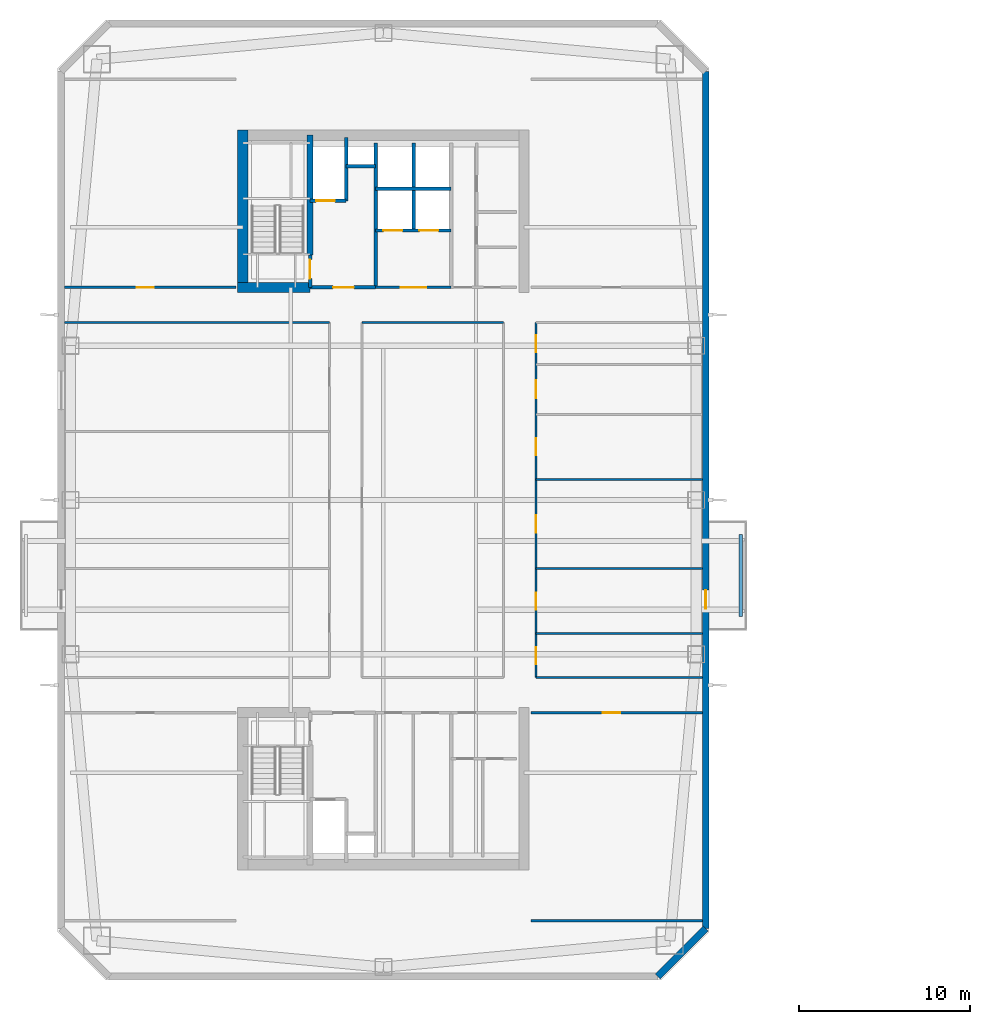
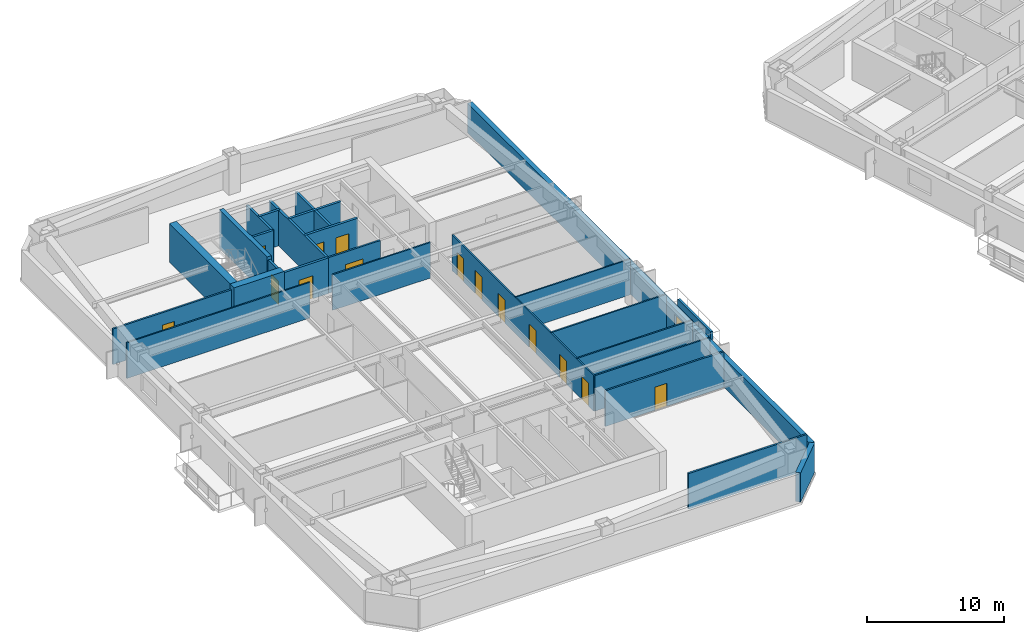
# One storey, part 6 of 17: 26 walls, 15 doors, 15 openings.
"""IFC4 building model written with IfcOpenShell, lengths in metres."""

from ifc_helpers import new_model, si_unit, direction, frame, frame_2d, origin, place, context, subcontext, project, spatial, rectangle, extrude, material, layer, layer_set, type_object, element, fill, save


model = new_model("IFC4")

# Units and contexts
model_context = context("Model", 3, precision=1e-05, world=origin(), true_north=direction((0.0, 1.0)))
body_context = subcontext(model_context, "Body", "Model", "MODEL_VIEW")
ifc_project = project(units=[si_unit("LENGTHUNIT", "METRE"), si_unit("AREAUNIT", "SQUARE_METRE"), si_unit("VOLUMEUNIT", "CUBIC_METRE"), si_unit("PLANEANGLEUNIT", "RADIAN"), si_unit("MASSUNIT", "GRAM", prefix="KILO")], contexts=[model_context])

# Site, building, storey
site_placement = place(None, origin())
site = spatial("IfcSite", under=ifc_project, at=site_placement, CompositionType="ELEMENT")
building_placement = place(site_placement, origin())
building = spatial("IfcBuilding", under=site, at=building_placement, Name="Qiaolan Cultural Towers", CompositionType="ELEMENT")
storey_placement = place(building_placement, frame((0.0, 0.0, 152.949951171875)))
storey = spatial("IfcBuildingStorey", under=building, at=storey_placement, Name="L40", CompositionType="ELEMENT", Elevation=152.949951171875)

# Walls
ifc_material_1 = material(Name="Concrete C50", Category="concrete")
ifc_layer_1 = layer(ifc_material_1, 0.35009765625)
ifc_layer_set_1 = layer_set([ifc_layer_1], Name="Concrete C50")
wall_type_1 = type_object("IfcWallType", Name="WL-CORE-350", PredefinedType="SHEAR", material=ifc_layer_set_1)
wall_1_placement = place(storey_placement, frame((25.719970703125, 48.300048828125, 0.0), z_axis=(0.0, 0.0, 1.0), x_axis=(0.0, 1.0, 0.0)))
element("IfcWall", 1, at=wall_1_placement, inside=storey, type_object=wall_type_1, Name="L40 T1-CN Stair Core Dividing Web", PredefinedType="SHEAR", context=body_context, shape_type="SweptSolid", body=[
    extrude(rectangle(XDim=6.97998046875, YDim=0.35009765625, at=frame_2d((3.489990234375, 0.0))), origin(), (0.0, 0.0, 1.0), 3.449951171875),
])
ifc_material_2 = material(Name="Concrete C55", Category="concrete")
ifc_layer_2 = layer(ifc_material_2, 0.60009765625)
ifc_layer_set_2 = layer_set([ifc_layer_2], Name="Concrete C55")
wall_type_2 = type_object("IfcWallType", Name="WL-CORE-600", PredefinedType="SHEAR", material=ifc_layer_set_2)
wall_2_placement = place(storey_placement, frame((21.800048828125, 46.10009765625, 0.0), z_axis=(0.0, 0.0, 1.0), x_axis=(0.0, 1.0, 0.0)))
element("IfcWall", 2, at=wall_2_placement, inside=storey, type_object=wall_type_2, Name="L40 T1-CN West Core Shear Wall", PredefinedType="SHEAR", context=body_context, shape_type="SweptSolid", body=[
    extrude(rectangle(XDim=9.47998046875, YDim=0.60009765625, at=frame_2d((4.739990234375, 0.0))), origin(), (0.0, 0.0, 1.0), 3.449951171875),
])
wall_3_placement = place(storey_placement, frame((21.5, 46.39990234375, 0.0), z_axis=(0.0, 0.0, 1.0), x_axis=(1.0, 0.0, 0.0)))
element("IfcWall", 3, at=wall_3_placement, inside=storey, type_object=wall_type_2, Name="L40 T1-CN Stair Front Shear Wall", PredefinedType="SHEAR", context=body_context, shape_type="SweptSolid", body=[
    extrude(rectangle(XDim=4.219970703125, YDim=0.60009765625, at=frame_2d((2.10986328125, 0.0))), origin(), (0.0, 0.0, 1.0), 3.449951171875),
])

# Wall, opening, door
ifc_material_3 = material(Name="Precast Concrete C50 Honed Stone Pier", Category="masonry")
ifc_layer_3 = layer(ifc_material_3, 0.39990234375)
ifc_layer_set_3 = layer_set([ifc_layer_3], Name="Precast Concrete C50 Honed Stone Pier")
wall_type_3 = type_object("IfcWallType", Name="WL-EXT-PIER-400", PredefinedType="SOLIDWALL", material=ifc_layer_set_3)
wall_4_placement = place(storey_placement, frame((48.800048828125, 59.0, 0.0), z_axis=(0.0, 0.0, 1.0), x_axis=(0.0, -1.0, 0.0)))
wall_4 = element("IfcWall", 4, at=wall_4_placement, inside=storey, type_object=wall_type_3, Name="L40 West Tower Precast Pier Facade Wall F5", PredefinedType="SOLIDWALL", context=body_context, shape_type="SweptSolid", body=[
    extrude(rectangle(XDim=50.0, YDim=0.39990234375, at=frame_2d((25.0, 0.0))), origin(), (0.0, 0.0, 1.0), 2.610107421875),
])
opening_1_placement = place(wall_4_placement, frame((30.25, 0.0, 0.0)))
opening_1 = element("IfcOpeningElement", 5, at=opening_1_placement, cuts=wall_4, Name="Opening BD-01", PredefinedType="OPENING", context=body_context, shape_type="SweptSolid", body=[
    extrude(rectangle(XDim=1.10009765625, YDim=2.14990234375, at=frame_2d((0.550048828125, 1.074951171875))), frame((0.0, 0.2099609375, 0.0), z_axis=(0.0, -1.0, 0.0), x_axis=(1.0, 0.0, 0.0)), (0.0, 0.0, 1.0), 0.419921875),
])
ifc_material_4 = material(Name="Thermally Broken Aluminium Glazed Terrace Door", Category="aluminium")
door_type_1 = type_object("IfcDoorType", Name="DR-BAL-1100", OperationType="NOTDEFINED", PredefinedType="DOOR", material=ifc_material_4)
door_1_placement = place(opening_1_placement, origin())
door_1 = element("IfcDoor", 6, at=door_1_placement, inside=storey, type_object=door_type_1, Name="L40 T1 East Tree Balcony Door", OperationType="SINGLE_SWING_RIGHT", OverallHeight=2.14990234375, OverallWidth=1.10009765625, PredefinedType="DOOR", context=body_context, shape_type="SweptSolid", body=[
    extrude(rectangle(XDim=1.10009765625, YDim=2.14990234375, at=frame_2d((0.550048828125, 1.074951171875))), frame((0.0, 0.02490234375, 0.0), z_axis=(0.0, -1.0, 0.0), x_axis=(1.0, 0.0, 0.0)), (0.0, 0.0, 1.0), 0.050048828125),
])
fill(opening_1, door_1)

# Wall
wall_5_placement = place(storey_placement, frame((48.800048828125, 9.0, 0.0), z_axis=(0.0, 0.0, 1.0), x_axis=(-0.707106781187, -0.707106781187, 0.0)))
element("IfcWall", 7, at=wall_5_placement, inside=storey, type_object=wall_type_3, Name="L40 West Tower Precast Pier Facade Wall F6", PredefinedType="SOLIDWALL", context=body_context, shape_type="SweptSolid", body=[
    extrude(rectangle(XDim=3.9599609375, YDim=0.39990234375, at=frame_2d((1.97998046875, 0.0))), origin(), (0.0, 0.0, 1.0), 2.610107421875),
])

# Wall, opening, door
ifc_material_5 = material(Name="Concrete C35 Fire Wall", Category="concrete")
ifc_layer_4 = layer(ifc_material_5, 0.199951171875)
ifc_layer_set_4 = layer_set([ifc_layer_4], Name="Concrete C35 Fire Wall")
wall_type_4 = type_object("IfcWallType", Name="WL-FIRE-200", PredefinedType="PARTITIONING", material=ifc_layer_set_4)
wall_6_placement = place(storey_placement, frame((25.719970703125, 46.39990234375, 0.0), z_axis=(0.0, 0.0, 1.0), x_axis=(0.0, 1.0, 0.0)))
wall_6 = element("IfcWall", 8, at=wall_6_placement, inside=storey, type_object=wall_type_4, Name="L40 T1-CN Smokeproof Stair Entry Wall", PredefinedType="PARTITIONING", context=body_context, shape_type="SweptSolid", body=[
    extrude(rectangle(XDim=1.900146484375, YDim=0.199951171875, at=frame_2d((0.9501953125, 0.0))), origin(), (0.0, 0.0, 1.0), 3.175048828125),
])
opening_2_placement = place(wall_6_placement, frame((0.52001953125, 0.0, 0.0)))
opening_2 = element("IfcOpeningElement", 9, at=opening_2_placement, cuts=wall_6, Name="Opening FD-04", PredefinedType="OPENING", context=body_context, shape_type="SweptSolid", body=[
    extrude(rectangle(XDim=1.10009765625, YDim=2.050048828125, at=frame_2d((0.550048828125, 1.02490234375))), frame((0.0, 0.10986328125, 0.0), z_axis=(0.0, -1.0, 0.0), x_axis=(1.0, 0.0, 0.0)), (0.0, 0.0, 1.0), 0.219970703125),
])
ifc_material_6 = material(Name="Galvanized Steel Command Fire Door", Category="steel")
door_type_2 = type_object("IfcDoorType", Name="DR-FD90-1100", OperationType="NOTDEFINED", PredefinedType="DOOR", material=ifc_material_6)
door_2_placement = place(opening_2_placement, origin())
door_2 = element("IfcDoor", 10, at=door_2_placement, inside=storey, type_object=door_type_2, Name="L40 ST-W2 Smokeproof Stair Fire Door", OperationType="SINGLE_SWING_LEFT", OverallHeight=2.050048828125, OverallWidth=1.10009765625, PredefinedType="DOOR", context=body_context, shape_type="SweptSolid", body=[
    extrude(rectangle(XDim=1.10009765625, YDim=2.050048828125, at=frame_2d((0.550048828125, 1.02490234375))), frame((0.0, 0.02490234375, 0.0), z_axis=(0.0, -1.0, 0.0), x_axis=(1.0, 0.0, 0.0)), (0.0, 0.0, 1.0), 0.050048828125),
])
fill(opening_2, door_2)

# Wall
wall_7_placement = place(storey_placement, frame((29.550048828125, 46.39990234375, 0.0), z_axis=(0.0, 0.0, 1.0), x_axis=(0.0, 1.0, 0.0)))
element("IfcWall", 11, at=wall_7_placement, inside=storey, type_object=wall_type_4, Name="L40 T1-CN Firefighting Zone Wall", PredefinedType="PARTITIONING", context=body_context, shape_type="SweptSolid", body=[
    extrude(rectangle(XDim=8.43017578125, YDim=0.199951171875, at=frame_2d((4.215087890625, 0.0))), origin(), (0.0, 0.0, 1.0), 3.175048828125),
])

# Wall, opening, door
wall_8_placement = place(storey_placement, frame((25.719970703125, 46.39990234375, 0.0), z_axis=(0.0, 0.0, 1.0), x_axis=(1.0, 0.0, 0.0)))
wall_8 = element("IfcWall", 12, at=wall_8_placement, inside=storey, type_object=wall_type_4, Name="L40 T1-CN Firefighting Lobby Front Wall", PredefinedType="PARTITIONING", context=body_context, shape_type="SweptSolid", body=[
    extrude(rectangle(XDim=3.830078125, YDim=0.199951171875, at=frame_2d((1.9150390625, 0.0))), origin(), (0.0, 0.0, 1.0), 3.175048828125),
])
opening_3_placement = place(wall_8_placement, frame((1.35009765625, 0.0, 0.0)))
opening_3 = element("IfcOpeningElement", 13, at=opening_3_placement, cuts=wall_8, Name="Opening FD-03", PredefinedType="OPENING", context=body_context, shape_type="SweptSolid", body=[
    extrude(rectangle(XDim=1.199951171875, YDim=2.050048828125, at=frame_2d((0.60009765625, 1.02490234375))), frame((0.0, 0.10986328125, 0.0), z_axis=(0.0, -1.0, 0.0), x_axis=(1.0, 0.0, 0.0)), (0.0, 0.0, 1.0), 0.219970703125),
])
ifc_material_7 = material(Name="Galvanized Steel Smokeproof Lobby Fire Door", Category="steel")
door_type_3 = type_object("IfcDoorType", Name="DR-FD90-1200", OperationType="NOTDEFINED", PredefinedType="DOOR", material=ifc_material_7)
door_3_placement = place(opening_3_placement, origin())
door_3 = element("IfcDoor", 14, at=door_3_placement, inside=storey, type_object=door_type_3, Name="L40 FFL-W2 Firefighting Lobby Fire Door", OperationType="SINGLE_SWING_LEFT", OverallHeight=2.050048828125, OverallWidth=1.199951171875, PredefinedType="DOOR", context=body_context, shape_type="SweptSolid", body=[
    extrude(rectangle(XDim=1.199951171875, YDim=2.050048828125, at=frame_2d((0.60009765625, 1.02490234375))), frame((0.0, 0.02490234375, 0.0), z_axis=(0.0, -1.0, 0.0), x_axis=(1.0, 0.0, 0.0)), (0.0, 0.0, 1.0), 0.050048828125),
])
fill(opening_3, door_3)

wall_9_placement = place(storey_placement, frame((25.719970703125, 51.449951171875, 0.0), z_axis=(0.0, 0.0, 1.0), x_axis=(1.0, 0.0, 0.0)))
wall_9 = element("IfcWall", 15, at=wall_9_placement, inside=storey, type_object=wall_type_4, Name="L40 T1-CN Firefighting Shaft Front Wall", PredefinedType="PARTITIONING", context=body_context, shape_type="SweptSolid", body=[
    extrude(rectangle(XDim=2.10009765625, YDim=0.199951171875, at=frame_2d((1.050048828125, 0.0))), origin(), (0.0, 0.0, 1.0), 3.175048828125),
])
opening_4_placement = place(wall_9_placement, frame((0.35009765625, 0.0, 0.0)))
opening_4 = element("IfcOpeningElement", 16, at=opening_4_placement, cuts=wall_9, Name="Opening LD-01", PredefinedType="OPENING", context=body_context, shape_type="SweptSolid", body=[
    extrude(rectangle(XDim=1.10009765625, YDim=2.050048828125, at=frame_2d((0.550048828125, 1.02490234375))), frame((0.0, 0.10986328125, 0.0), z_axis=(0.0, -1.0, 0.0), x_axis=(1.0, 0.0, 0.0)), (0.0, 0.0, 1.0), 0.219970703125),
])
ifc_material_8 = material(Name="Brushed Stainless Steel S30408 Centre-Parting Lift Landing Door", Category="steel")
door_type_4 = type_object("IfcDoorType", Name="DR-LIFT-1100", OperationType="NOTDEFINED", PredefinedType="DOOR", material=ifc_material_8)
door_4_placement = place(opening_4_placement, origin())
door_4 = element("IfcDoor", 17, at=door_4_placement, inside=storey, type_object=door_type_4, Name="L40 FFL-W2 Firefighting Lift Landing Door", OperationType="DOUBLE_DOOR_SLIDING", OverallHeight=2.050048828125, OverallWidth=1.10009765625, PredefinedType="DOOR", context=body_context, shape_type="SweptSolid", body=[
    extrude(rectangle(XDim=1.10009765625, YDim=2.050048828125, at=frame_2d((0.550048828125, 1.02490234375))), frame((0.0, 0.02490234375, 0.0), z_axis=(0.0, -1.0, 0.0), x_axis=(1.0, 0.0, 0.0)), (0.0, 0.0, 1.0), 0.050048828125),
])
fill(opening_4, door_4)

# Walls
wall_10_placement = place(storey_placement, frame((27.820068359375, 51.449951171875, 0.0), z_axis=(0.0, 0.0, 1.0), x_axis=(0.0, 1.0, 0.0)))
element("IfcWall", 18, at=wall_10_placement, inside=storey, type_object=wall_type_4, Name="L40 T1-CN Firefighting Hoistway East Wall", PredefinedType="PARTITIONING", context=body_context, shape_type="SweptSolid", body=[
    extrude(rectangle(XDim=3.699951171875, YDim=0.199951171875, at=frame_2d((1.85009765625, 0.0))), origin(), (0.0, 0.0, 1.0), 3.175048828125),
])
wall_11_placement = place(storey_placement, frame((27.820068359375, 53.47998046875, 0.0), z_axis=(0.0, 0.0, 1.0), x_axis=(1.0, 0.0, 0.0)))
element("IfcWall", 19, at=wall_11_placement, inside=storey, type_object=wall_type_4, Name="L40 T1-CN Pressurization Shaft Front Wall", PredefinedType="PARTITIONING", context=body_context, shape_type="SweptSolid", body=[
    extrude(rectangle(XDim=1.72998046875, YDim=0.199951171875, at=frame_2d((0.864990234375, 0.0))), origin(), (0.0, 0.0, 1.0), 3.175048828125),
])

# Wall, openings, doors
wall_12_placement = place(storey_placement, frame((29.550048828125, 49.719970703125, 0.0), z_axis=(0.0, 0.0, 1.0), x_axis=(1.0, 0.0, 0.0)))
wall_12 = element("IfcWall", 20, at=wall_12_placement, inside=storey, type_object=wall_type_4, Name="L40 T1-CN Passenger Lift Shaft Front Wall", PredefinedType="PARTITIONING", context=body_context, shape_type="SweptSolid", body=[
    extrude(rectangle(XDim=4.39990234375, YDim=0.199951171875, at=frame_2d((2.199951171875, 0.0))), origin(), (0.0, 0.0, 1.0), 3.175048828125),
])
opening_5_placement = place(wall_12_placement, frame((0.449951171875, 0.0, 0.0)))
opening_5 = element("IfcOpeningElement", 21, at=opening_5_placement, cuts=wall_12, Name="Opening LD-01", PredefinedType="OPENING", context=body_context, shape_type="SweptSolid", body=[
    extrude(rectangle(XDim=1.10009765625, YDim=2.050048828125, at=frame_2d((0.550048828125, 1.02490234375))), frame((0.0, 0.10986328125, 0.0), z_axis=(0.0, -1.0, 0.0), x_axis=(1.0, 0.0, 0.0)), (0.0, 0.0, 1.0), 0.219970703125),
])
opening_6_placement = place(wall_12_placement, frame((2.550048828125, 0.0, 0.0)))
opening_6 = element("IfcOpeningElement", 22, at=opening_6_placement, cuts=wall_12, Name="Opening LD-01", PredefinedType="OPENING", context=body_context, shape_type="SweptSolid", body=[
    extrude(rectangle(XDim=1.10009765625, YDim=2.050048828125, at=frame_2d((0.550048828125, 1.02490234375))), frame((0.0, 0.10986328125, 0.0), z_axis=(0.0, -1.0, 0.0), x_axis=(1.0, 0.0, 0.0)), (0.0, 0.0, 1.0), 0.219970703125),
])
door_5_placement = place(opening_5_placement, origin())
door_5 = element("IfcDoor", 23, at=door_5_placement, inside=storey, type_object=door_type_4, Name="L40 Passenger Lift 1 Landing Door", OperationType="DOUBLE_DOOR_SLIDING", OverallHeight=2.050048828125, OverallWidth=1.10009765625, PredefinedType="DOOR", context=body_context, shape_type="SweptSolid", body=[
    extrude(rectangle(XDim=1.10009765625, YDim=2.050048828125, at=frame_2d((0.550048828125, 1.02490234375))), frame((0.0, 0.02490234375, 0.0), z_axis=(0.0, -1.0, 0.0), x_axis=(1.0, 0.0, 0.0)), (0.0, 0.0, 1.0), 0.050048828125),
])
fill(opening_5, door_5)
door_6_placement = place(opening_6_placement, origin())
door_6 = element("IfcDoor", 24, at=door_6_placement, inside=storey, type_object=door_type_4, Name="L40 Passenger Lift 2 Landing Door", OperationType="DOUBLE_DOOR_SLIDING", OverallHeight=2.050048828125, OverallWidth=1.10009765625, PredefinedType="DOOR", context=body_context, shape_type="SweptSolid", body=[
    extrude(rectangle(XDim=1.10009765625, YDim=2.050048828125, at=frame_2d((0.550048828125, 1.02490234375))), frame((0.0, 0.02490234375, 0.0), z_axis=(0.0, -1.0, 0.0), x_axis=(1.0, 0.0, 0.0)), (0.0, 0.0, 1.0), 0.050048828125),
])
fill(opening_6, door_6)

# Walls
wall_13_placement = place(storey_placement, frame((31.780029296875, 49.719970703125, 0.0), z_axis=(0.0, 0.0, 1.0), x_axis=(0.0, 1.0, 0.0)))
element("IfcWall", 25, at=wall_13_placement, inside=storey, type_object=wall_type_4, Name="L40 T1-CN Lift Shaft Divider Wall", PredefinedType="PARTITIONING", context=body_context, shape_type="SweptSolid", body=[
    extrude(rectangle(XDim=5.110107421875, YDim=0.199951171875, at=frame_2d((2.55517578125, 0.0))), origin(), (0.0, 0.0, 1.0), 3.175048828125),
])
wall_14_placement = place(storey_placement, frame((29.550048828125, 52.14990234375, 0.0), z_axis=(0.0, 0.0, 1.0), x_axis=(1.0, 0.0, 0.0)))
element("IfcWall", 26, at=wall_14_placement, inside=storey, type_object=wall_type_4, Name="L40 T1-CN Passenger Lift Shaft Back Wall", PredefinedType="PARTITIONING", context=body_context, shape_type="SweptSolid", body=[
    extrude(rectangle(XDim=4.39990234375, YDim=0.199951171875, at=frame_2d((2.199951171875, 0.0))), origin(), (0.0, 0.0, 1.0), 3.175048828125),
])
ifc_material_9 = material(Name="Gypsum Stud Acoustic Partition", Category="gypsum")
ifc_layer_5 = layer(ifc_material_9, 0.1201171875)
ifc_layer_set_5 = layer_set([ifc_layer_5], Name="Gypsum Stud Acoustic Partition")
wall_type_5 = type_object("IfcWallType", Name="WL-PART-120", PredefinedType="PARTITIONING", material=ifc_layer_set_5)
wall_15_placement = place(storey_placement, frame((38.89990234375, 23.64990234375, 0.0), z_axis=(0.0, 0.0, 1.0), x_axis=(1.0, 0.0, 0.0)))
element("IfcWall", 27, at=wall_15_placement, inside=storey, type_object=wall_type_5, Name="L40 T1 Interior Wall", PredefinedType="PARTITIONING", context=body_context, shape_type="SweptSolid", body=[
    extrude(rectangle(XDim=9.7001953125, YDim=0.1201171875, at=frame_2d((4.85009765625, 0.0))), origin(), (0.0, 0.0, 1.0), 3.175048828125),
])
wall_16_placement = place(storey_placement, frame((11.39990234375, 44.35009765625, 0.0), z_axis=(0.0, 0.0, 1.0), x_axis=(1.0, 0.0, 0.0)))
element("IfcWall", 28, at=wall_16_placement, inside=storey, type_object=wall_type_5, Name="L40 T1 Interior Wall", PredefinedType="PARTITIONING", context=body_context, shape_type="SweptSolid", body=[
    extrude(rectangle(XDim=15.4501953125, YDim=0.1201171875, at=frame_2d((7.72509765625, 0.0))), origin(), (0.0, 0.0, 1.0), 3.175048828125),
])
wall_17_placement = place(storey_placement, frame((28.75, 44.35009765625, 0.0), z_axis=(0.0, 0.0, 1.0), x_axis=(1.0, 0.0, 0.0)))
element("IfcWall", 29, at=wall_17_placement, inside=storey, type_object=wall_type_5, Name="L40 T1 Interior Wall", PredefinedType="PARTITIONING", context=body_context, shape_type="SweptSolid", body=[
    extrude(rectangle(XDim=8.25, YDim=0.1201171875, at=frame_2d((4.125, 0.0))), origin(), (0.0, 0.0, 1.0), 3.175048828125),
])

# Wall, openings, doors
wall_18_placement = place(storey_placement, frame((38.89990234375, 23.64990234375, 0.0), z_axis=(0.0, 0.0, 1.0), x_axis=(0.0, 1.0, 0.0)))
wall_18 = element("IfcWall", 30, at=wall_18_placement, inside=storey, type_object=wall_type_5, Name="L40 T1 Interior Wall", PredefinedType="PARTITIONING", context=body_context, shape_type="SweptSolid", body=[
    extrude(rectangle(XDim=20.7001953125, YDim=0.1201171875, at=frame_2d((10.35009765625, 0.0))), origin(), (0.0, 0.0, 1.0), 3.175048828125),
])
opening_7_placement = place(wall_18_placement, frame((0.77490234375, 0.0, 0.0)))
opening_7 = element("IfcOpeningElement", 31, at=opening_7_placement, cuts=wall_18, Name="Opening ID-04", PredefinedType="OPENING", context=body_context, shape_type="SweptSolid", body=[
    extrude(rectangle(XDim=1.0, YDim=2.050048828125, at=frame_2d((0.5, 1.02490234375))), frame((0.0, 0.070068359375, 0.0), z_axis=(0.0, -1.0, 0.0), x_axis=(1.0, 0.0, 0.0)), (0.0, 0.0, 1.0), 0.14013671875),
])
opening_8_placement = place(wall_18_placement, frame((3.949951171875, 0.0, 0.0)))
opening_8 = element("IfcOpeningElement", 32, at=opening_8_placement, cuts=wall_18, Name="Opening ID-04", PredefinedType="OPENING", context=body_context, shape_type="SweptSolid", body=[
    extrude(rectangle(XDim=1.0, YDim=2.050048828125, at=frame_2d((0.5, 1.02490234375))), frame((0.0, 0.070068359375, 0.0), z_axis=(0.0, -1.0, 0.0), x_axis=(1.0, 0.0, 0.0)), (0.0, 0.0, 1.0), 0.14013671875),
])
opening_9_placement = place(wall_18_placement, frame((8.449951171875, 0.0, 0.0)))
opening_9 = element("IfcOpeningElement", 33, at=opening_9_placement, cuts=wall_18, Name="Opening ID-04", PredefinedType="OPENING", context=body_context, shape_type="SweptSolid", body=[
    extrude(rectangle(XDim=1.0, YDim=2.050048828125, at=frame_2d((0.5, 1.02490234375))), frame((0.0, 0.070068359375, 0.0), z_axis=(0.0, -1.0, 0.0), x_axis=(1.0, 0.0, 0.0)), (0.0, 0.0, 1.0), 0.14013671875),
])
opening_10_placement = place(wall_18_placement, frame((12.949951171875, 0.0, 0.0)))
opening_10 = element("IfcOpeningElement", 34, at=opening_10_placement, cuts=wall_18, Name="Opening ID-04", PredefinedType="OPENING", context=body_context, shape_type="SweptSolid", body=[
    extrude(rectangle(XDim=1.0, YDim=2.050048828125, at=frame_2d((0.5, 1.02490234375))), frame((0.0, 0.070068359375, 0.0), z_axis=(0.0, -1.0, 0.0), x_axis=(1.0, 0.0, 0.0)), (0.0, 0.0, 1.0), 0.14013671875),
])
opening_11_placement = place(wall_18_placement, frame((16.299072265625, 0.0, 0.0)))
opening_11 = element("IfcOpeningElement", 35, at=opening_11_placement, cuts=wall_18, Name="Opening ID-07", PredefinedType="OPENING", context=body_context, shape_type="SweptSolid", body=[
    extrude(rectangle(XDim=1.050048828125, YDim=2.050048828125, at=frame_2d((0.52490234375, 1.02490234375))), frame((0.0, 0.070068359375, 0.0), z_axis=(0.0, -1.0, 0.0), x_axis=(1.0, 0.0, 0.0)), (0.0, 0.0, 1.0), 0.14013671875),
])
opening_12_placement = place(wall_18_placement, frame((18.97412109375, 0.0, 0.0)))
opening_12 = element("IfcOpeningElement", 36, at=opening_12_placement, cuts=wall_18, Name="Opening ID-04", PredefinedType="OPENING", context=body_context, shape_type="SweptSolid", body=[
    extrude(rectangle(XDim=1.0, YDim=2.050048828125, at=frame_2d((0.5, 1.02490234375))), frame((0.0, 0.070068359375, 0.0), z_axis=(0.0, -1.0, 0.0), x_axis=(1.0, 0.0, 0.0)), (0.0, 0.0, 1.0), 0.14013671875),
])
ifc_material_10 = material(Name="Oak Veneer Acoustic Office Door", Category="timber")
door_type_5 = type_object("IfcDoorType", Name="DR-INT-1000", OperationType="NOTDEFINED", PredefinedType="DOOR", material=ifc_material_10)
door_7_placement = place(opening_7_placement, origin())
door_7 = element("IfcDoor", 37, at=door_7_placement, inside=storey, type_object=door_type_5, Name="L40 T1 Art Consultancy Shop Door", OperationType="SINGLE_SWING_RIGHT", OverallHeight=2.050048828125, OverallWidth=1.0, PredefinedType="DOOR", context=body_context, shape_type="SweptSolid", body=[
    extrude(rectangle(XDim=1.0, YDim=2.050048828125, at=frame_2d((0.5, 1.02490234375))), frame((0.0, 0.02490234375, 0.0), z_axis=(0.0, -1.0, 0.0), x_axis=(1.0, 0.0, 0.0)), (0.0, 0.0, 1.0), 0.050048828125),
])
fill(opening_7, door_7)
door_8_placement = place(opening_8_placement, origin())
door_8 = element("IfcDoor", 38, at=door_8_placement, inside=storey, type_object=door_type_5, Name="L40 T1 Art Consultancy Shop Door", OperationType="SINGLE_SWING_LEFT", OverallHeight=2.050048828125, OverallWidth=1.0, PredefinedType="DOOR", context=body_context, shape_type="SweptSolid", body=[
    extrude(rectangle(XDim=1.0, YDim=2.050048828125, at=frame_2d((0.5, 1.02490234375))), frame((0.0, 0.02490234375, 0.0), z_axis=(0.0, -1.0, 0.0), x_axis=(1.0, 0.0, 0.0)), (0.0, 0.0, 1.0), 0.050048828125),
])
fill(opening_8, door_8)
door_9_placement = place(opening_9_placement, origin())
door_9 = element("IfcDoor", 39, at=door_9_placement, inside=storey, type_object=door_type_5, Name="L40 T1 Art Consultancy Shop Door", OperationType="SINGLE_SWING_RIGHT", OverallHeight=2.050048828125, OverallWidth=1.0, PredefinedType="DOOR", context=body_context, shape_type="SweptSolid", body=[
    extrude(rectangle(XDim=1.0, YDim=2.050048828125, at=frame_2d((0.5, 1.02490234375))), frame((0.0, 0.02490234375, 0.0), z_axis=(0.0, -1.0, 0.0), x_axis=(1.0, 0.0, 0.0)), (0.0, 0.0, 1.0), 0.050048828125),
])
fill(opening_9, door_9)
door_10_placement = place(opening_10_placement, origin())
door_10 = element("IfcDoor", 40, at=door_10_placement, inside=storey, type_object=door_type_5, Name="L40 T1 Art Consultancy Shop Door", OperationType="SINGLE_SWING_LEFT", OverallHeight=2.050048828125, OverallWidth=1.0, PredefinedType="DOOR", context=body_context, shape_type="SweptSolid", body=[
    extrude(rectangle(XDim=1.0, YDim=2.050048828125, at=frame_2d((0.5, 1.02490234375))), frame((0.0, 0.02490234375, 0.0), z_axis=(0.0, -1.0, 0.0), x_axis=(1.0, 0.0, 0.0)), (0.0, 0.0, 1.0), 0.050048828125),
])
fill(opening_10, door_10)
door_11_placement = place(opening_12_placement, origin())
door_11 = element("IfcDoor", 41, at=door_11_placement, inside=storey, type_object=door_type_5, Name="L40 T1 Tea Bar Door", OperationType="SINGLE_SWING_LEFT", OverallHeight=2.050048828125, OverallWidth=1.0, PredefinedType="DOOR", context=body_context, shape_type="SweptSolid", body=[
    extrude(rectangle(XDim=1.0, YDim=2.050048828125, at=frame_2d((0.5, 1.02490234375))), frame((0.0, 0.02490234375, 0.0), z_axis=(0.0, -1.0, 0.0), x_axis=(1.0, 0.0, 0.0)), (0.0, 0.0, 1.0), 0.050048828125),
])
fill(opening_12, door_11)
ifc_material_11 = material(Name="Oak Veneer Consultation Door", Category="timber")
door_type_6 = type_object("IfcDoorType", Name="DR-INT-1050", OperationType="NOTDEFINED", PredefinedType="DOOR", material=ifc_material_11)
door_12_placement = place(opening_11_placement, origin())
door_12 = element("IfcDoor", 42, at=door_12_placement, inside=storey, type_object=door_type_6, Name="L40 T1 Executive Office Door", OperationType="SINGLE_SWING_RIGHT", OverallHeight=2.050048828125, OverallWidth=1.050048828125, PredefinedType="DOOR", context=body_context, shape_type="SweptSolid", body=[
    extrude(rectangle(XDim=1.050048828125, YDim=2.050048828125, at=frame_2d((0.52490234375, 1.02490234375))), frame((0.0, 0.02490234375, 0.0), z_axis=(0.0, -1.0, 0.0), x_axis=(1.0, 0.0, 0.0)), (0.0, 0.0, 1.0), 0.050048828125),
])
fill(opening_11, door_12)

# Walls
for number, where, z_axis, x_axis, name in (
    (43, (38.89990234375, 26.199951171875, 0.0), (0.0, 0.0, 1.0), (1.0, 0.0, 0.0), "L40 T1 Interior Wall"),
    (44, (38.89990234375, 30.0, 0.0), (0.0, 0.0, 1.0), (1.0, 0.0, 0.0), "L40 T1 Interior Wall"),
    (45, (38.89990234375, 35.199951171875, 0.0), (0.0, 0.0, 1.0), (1.0, 0.0, 0.0), "L40 T1 Interior Wall"),
):
    element("IfcWall", number, at=place(storey_placement, frame(where, z_axis=z_axis, x_axis=x_axis)), inside=storey, type_object=wall_type_5, Name=name, PredefinedType="PARTITIONING", context=body_context, shape_type="SweptSolid", body=[
        extrude(rectangle(XDim=9.7001953125, YDim=0.1201171875, at=frame_2d((4.85009765625, 0.0))), origin(), (0.0, 0.0, 1.0), 3.175048828125),
    ])

# Wall, opening, door
ifc_material_12 = material(Name="Autoclaved Aerated Concrete Block B06", Category="concrete")
ifc_layer_6 = layer(ifc_material_12, 0.14990234375)
ifc_layer_set_6 = layer_set([ifc_layer_6], Name="Autoclaved Aerated Concrete Block B06")
wall_type_6 = type_object("IfcWallType", Name="WL-PART-150", PredefinedType="PARTITIONING", material=ifc_layer_set_6)
wall_19_placement = place(storey_placement, frame((29.550048828125, 46.39990234375, 0.0), z_axis=(0.0, 0.0, 1.0), x_axis=(1.0, 0.0, 0.0)))
wall_19 = element("IfcWall", 46, at=wall_19_placement, inside=storey, type_object=wall_type_6, Name="L40 T1-CN Passenger Lift Lobby Front Wall", PredefinedType="PARTITIONING", context=body_context, shape_type="SweptSolid", body=[
    extrude(rectangle(XDim=4.39990234375, YDim=0.14990234375, at=frame_2d((2.199951171875, 0.0))), origin(), (0.0, 0.0, 1.0), 3.175048828125),
])
opening_13_placement = place(wall_19_placement, frame((1.449951171875, 0.0, 0.0)))
opening_13 = element("IfcOpeningElement", 47, at=opening_13_placement, cuts=wall_19, Name="Opening FD-05", PredefinedType="OPENING", context=body_context, shape_type="SweptSolid", body=[
    extrude(rectangle(XDim=1.5, YDim=2.050048828125, at=frame_2d((0.75, 1.02490234375))), frame((0.0, 0.0849609375, 0.0), z_axis=(0.0, -1.0, 0.0), x_axis=(1.0, 0.0, 0.0)), (0.0, 0.0, 1.0), 0.169921875),
])
ifc_material_13 = material(Name="Painted Steel Lift Lobby Fire Door", Category="steel")
door_type_7 = type_object("IfcDoorType", Name="DR-FD60-1500", OperationType="NOTDEFINED", PredefinedType="DOOR", material=ifc_material_13)
door_13_placement = place(opening_13_placement, origin())
door_13 = element("IfcDoor", 48, at=door_13_placement, inside=storey, type_object=door_type_7, Name="L40 Passenger Lift Lobby Entrance", OperationType="SINGLE_SWING_LEFT", OverallHeight=2.050048828125, OverallWidth=1.5, PredefinedType="DOOR", context=body_context, shape_type="SweptSolid", body=[
    extrude(rectangle(XDim=1.5, YDim=2.050048828125, at=frame_2d((0.75, 1.02490234375))), frame((0.0, 0.02490234375, 0.0), z_axis=(0.0, -1.0, 0.0), x_axis=(1.0, 0.0, 0.0)), (0.0, 0.0, 1.0), 0.050048828125),
])
fill(opening_13, door_13)

# Wall
wall_20_placement = place(storey_placement, frame((38.60009765625, 9.449951171875, 0.0), z_axis=(0.0, 0.0, 1.0), x_axis=(1.0, 0.0, 0.0)))
element("IfcWall", 49, at=wall_20_placement, inside=storey, type_object=wall_type_6, Name="L40 T1 Flank Wall FLK-SE", PredefinedType="PARTITIONING", context=body_context, shape_type="SweptSolid", body=[
    extrude(rectangle(XDim=10.0, YDim=0.14990234375, at=frame_2d((5.0, 0.0))), origin(), (0.0, 0.0, 1.0), 3.175048828125),
])

# Wall, opening, door
wall_21_placement = place(storey_placement, frame((38.60009765625, 21.60009765625, 0.0), z_axis=(0.0, 0.0, 1.0), x_axis=(1.0, 0.0, 0.0)))
wall_21 = element("IfcWall", 50, at=wall_21_placement, inside=storey, type_object=wall_type_6, Name="L40 T1 Flank Front FLK-SE", PredefinedType="PARTITIONING", context=body_context, shape_type="SweptSolid", body=[
    extrude(rectangle(XDim=10.0, YDim=0.14990234375, at=frame_2d((5.0, 0.0))), origin(), (0.0, 0.0, 1.0), 3.175048828125),
])
opening_14_placement = place(wall_21_placement, frame((4.199951171875, 0.0, 0.0)))
opening_14 = element("IfcOpeningElement", 51, at=opening_14_placement, cuts=wall_21, Name="Opening ID-04", PredefinedType="OPENING", context=body_context, shape_type="SweptSolid", body=[
    extrude(rectangle(XDim=1.0, YDim=2.050048828125, at=frame_2d((0.5, 1.02490234375))), frame((0.0, 0.0849609375, 0.0), z_axis=(0.0, -1.0, 0.0), x_axis=(1.0, 0.0, 0.0)), (0.0, 0.0, 1.0), 0.169921875),
])
door_14_placement = place(opening_14_placement, origin())
door_14 = element("IfcDoor", 52, at=door_14_placement, inside=storey, type_object=door_type_5, Name="L40 T1 Corner Studio Door", OperationType="SINGLE_SWING_LEFT", OverallHeight=2.050048828125, OverallWidth=1.0, PredefinedType="DOOR", context=body_context, shape_type="SweptSolid", body=[
    extrude(rectangle(XDim=1.0, YDim=2.050048828125, at=frame_2d((0.5, 1.02490234375))), frame((0.0, 0.02490234375, 0.0), z_axis=(0.0, -1.0, 0.0), x_axis=(1.0, 0.0, 0.0)), (0.0, 0.0, 1.0), 0.050048828125),
])
fill(opening_14, door_14)

wall_22_placement = place(storey_placement, frame((11.39990234375, 46.39990234375, 0.0), z_axis=(0.0, 0.0, 1.0), x_axis=(1.0, 0.0, 0.0)))
wall_22 = element("IfcWall", 53, at=wall_22_placement, inside=storey, type_object=wall_type_6, Name="L40 T1 Flank Front FLK-NW", PredefinedType="PARTITIONING", context=body_context, shape_type="SweptSolid", body=[
    extrude(rectangle(XDim=10.0, YDim=0.14990234375, at=frame_2d((5.0, 0.0))), origin(), (0.0, 0.0, 1.0), 3.175048828125),
])
opening_15_placement = place(wall_22_placement, frame((4.199951171875, 0.0, 0.0)))
opening_15 = element("IfcOpeningElement", 54, at=opening_15_placement, cuts=wall_22, Name="Opening ID-04", PredefinedType="OPENING", context=body_context, shape_type="SweptSolid", body=[
    extrude(rectangle(XDim=1.0, YDim=2.050048828125, at=frame_2d((0.5, 1.02490234375))), frame((0.0, 0.0849609375, 0.0), z_axis=(0.0, -1.0, 0.0), x_axis=(1.0, 0.0, 0.0)), (0.0, 0.0, 1.0), 0.169921875),
])
door_15_placement = place(opening_15_placement, origin())
door_15 = element("IfcDoor", 55, at=door_15_placement, inside=storey, type_object=door_type_5, Name="L40 T1 Corner Studio Door", OperationType="SINGLE_SWING_LEFT", OverallHeight=2.050048828125, OverallWidth=1.0, PredefinedType="DOOR", context=body_context, shape_type="SweptSolid", body=[
    extrude(rectangle(XDim=1.0, YDim=2.050048828125, at=frame_2d((0.5, 1.02490234375))), frame((0.0, 0.02490234375, 0.0), z_axis=(0.0, -1.0, 0.0), x_axis=(1.0, 0.0, 0.0)), (0.0, 0.0, 1.0), 0.050048828125),
])
fill(opening_15, door_15)

# Wall
ifc_material_14 = material(Name="Precast Concrete C45 Tree Planter Upstand", Category="concrete")
ifc_layer_7 = layer(ifc_material_14, 0.199951171875)
ifc_layer_set_7 = layer_set([ifc_layer_7], Name="Precast Concrete C45 Tree Planter Upstand")
wall_type_7 = type_object("IfcWallType", Name="WL-PLANTER-200", PredefinedType="PARAPET", material=ifc_layer_set_7)
wall_23_placement = place(storey_placement, frame((50.85009765625, 27.199951171875, 0.0), z_axis=(0.0, 0.0, 1.0), x_axis=(0.0, 1.0, 0.0)))
element("IfcWall", 56, at=wall_23_placement, inside=storey, type_object=wall_type_7, Name="L40 T1 Tree Balcony Soil Planter Box E", PredefinedType="PARAPET", context=body_context, shape_type="SweptSolid", body=[
    extrude(rectangle(XDim=4.800048828125, YDim=0.199951171875, at=frame_2d((2.39990234375, 0.0))), origin(), (0.0, 0.0, 1.0), 0.75),
])

save(model, "model.ifc")
